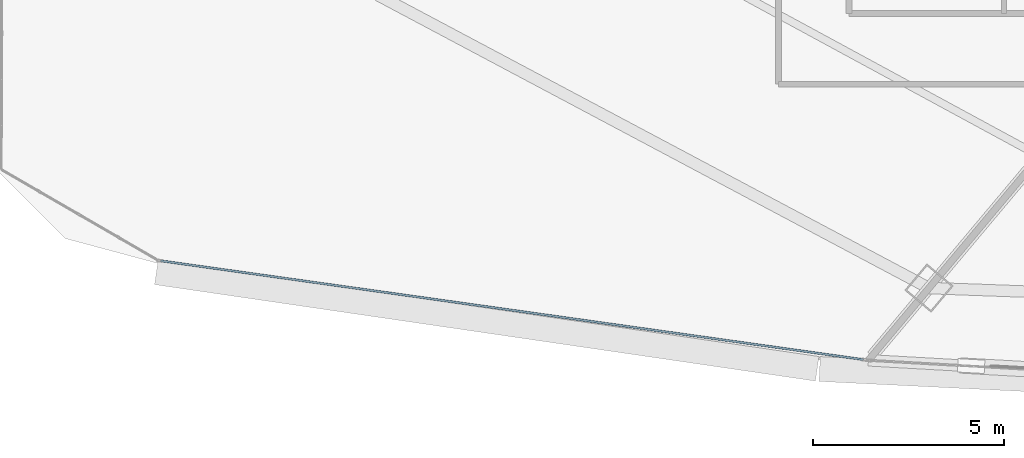
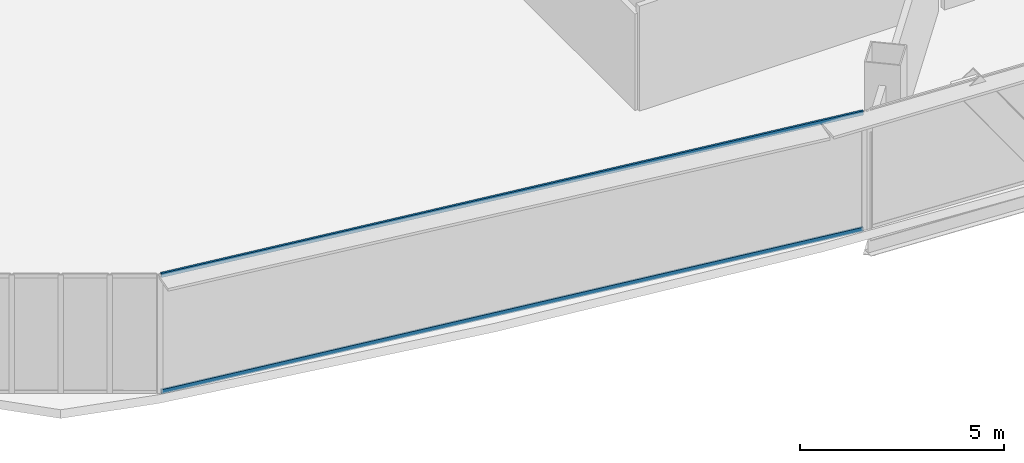
# One storey, part 3 of 40: 2 members, 1 element without a shape of its own.
"""IFC4 building model written with IfcOpenShell, lengths in metres."""

from ifc_helpers import new_model, si_unit, direction, frame, origin, origin_2d, place, context, subcontext, project, spatial, hollow_rectangle, extrude, source, transform, mapped, material, layer, layer_set, material_profile, profile_set, type_object, element, aggregate, save


model = new_model("IFC4")

# Units and contexts
model_context = context("Model", 3, precision=1e-05, world=origin(), true_north=direction((0.0, 1.0)))
body_context = subcontext(model_context, "Body", "Model", "MODEL_VIEW")
ifc_project = project(units=[si_unit("LENGTHUNIT", "METRE"), si_unit("AREAUNIT", "SQUARE_METRE"), si_unit("VOLUMEUNIT", "CUBIC_METRE"), si_unit("PLANEANGLEUNIT", "RADIAN"), si_unit("MASSUNIT", "GRAM", prefix="KILO"), si_unit("THERMODYNAMICTEMPERATUREUNIT", "KELVIN"), si_unit("POWERUNIT", "WATT")], contexts=[model_context])

# Site, building, storey
site_placement = place(None, origin())
site = spatial("IfcSite", under=ifc_project, at=site_placement, CompositionType="ELEMENT")
building_placement = place(site_placement, origin())
building = spatial("IfcBuilding", under=site, at=building_placement, Name="Yunzhuo Pagoda Commons", CompositionType="ELEMENT")
storey_placement = place(building_placement, frame((0.0, 0.0, 184.760009765625)))
storey = spatial("IfcBuildingStorey", under=building, at=storey_placement, Name="L46", CompositionType="ELEMENT", Elevation=184.760009765625)

# Curtain wall, members
ifc_material = material(Name="Anodized aluminium 6063-T6", Category="aluminium")
ifc_layer = layer(ifc_material, 0.14990234375)
ifc_layer_set = layer_set([ifc_layer], Name="Anodized aluminium 6063-T6")
curtain_wall_type = type_object("IfcCurtainWallType", Name="CW-MID Mid-Zone Ribbon Curtain Wall", PredefinedType="NOTDEFINED", material=ifc_layer_set)
curtain_wall_placement = place(storey_placement, origin())
curtain_wall = element("IfcCurtainWall", 1, at=curtain_wall_placement, inside=storey, type_object=curtain_wall_type, Name="L46 curtain wall CW-L46-F1B1", PredefinedType="NOTDEFINED")
ifc_material_profile = material_profile(ifc_material, hollow_rectangle(XDim=0.054931640625, YDim=0.1298828125, WallThickness=0.00341796875, at=origin_2d()), Name="Anodized aluminium 6063-T6")
ifc_profile_set = profile_set([ifc_material_profile], Name="Anodized aluminium 6063-T6")
member_type = type_object("IfcMemberType", Name="CW-MID-T Transom RHS 130x55x3.5", PredefinedType="USERDEFINED", material=ifc_profile_set)
shared_shape = source(origin(), body_context, "Body", "SweptSolid", [
    extrude(hollow_rectangle(XDim=0.054931640625, YDim=0.1298828125, WallThickness=0.00341796875, at=origin_2d()), origin(), (0.0, 0.0, 1.0), 18.564453125),
])
member_1_placement = place(storey_placement, frame((13.435302734375, 17.178955078125, 0.027587890625), z_axis=(0.990260063852, -0.139230046827, 0.0), x_axis=(0.139230046827, 0.990260063852, 0.0)))
member_1 = element("IfcMember", 2, at=member_1_placement, type_object=member_type, Name="CW transom 1.1", ObjectType="TRANSOM", PredefinedType="USERDEFINED", context=body_context, shape_type="MappedRepresentation", body=[
    mapped(shared_shape, transform((0.0, 0.0, 0.0), scale=1.0)),
])
member_2_placement = place(storey_placement, frame((13.435302734375, 17.178955078125, 3.512451171875), z_axis=(0.990260063852, -0.139230046827, 0.0), x_axis=(0.139230046827, 0.990260063852, 0.0)))
member_2 = element("IfcMember", 3, at=member_2_placement, type_object=member_type, Name="CW transom 1.2", ObjectType="TRANSOM", PredefinedType="USERDEFINED", context=body_context, shape_type="MappedRepresentation", body=[
    mapped(shared_shape, transform((0.0, 0.0, 0.0), scale=1.0)),
])
aggregate(curtain_wall, [member_1, member_2])

save(model, "model.ifc")
